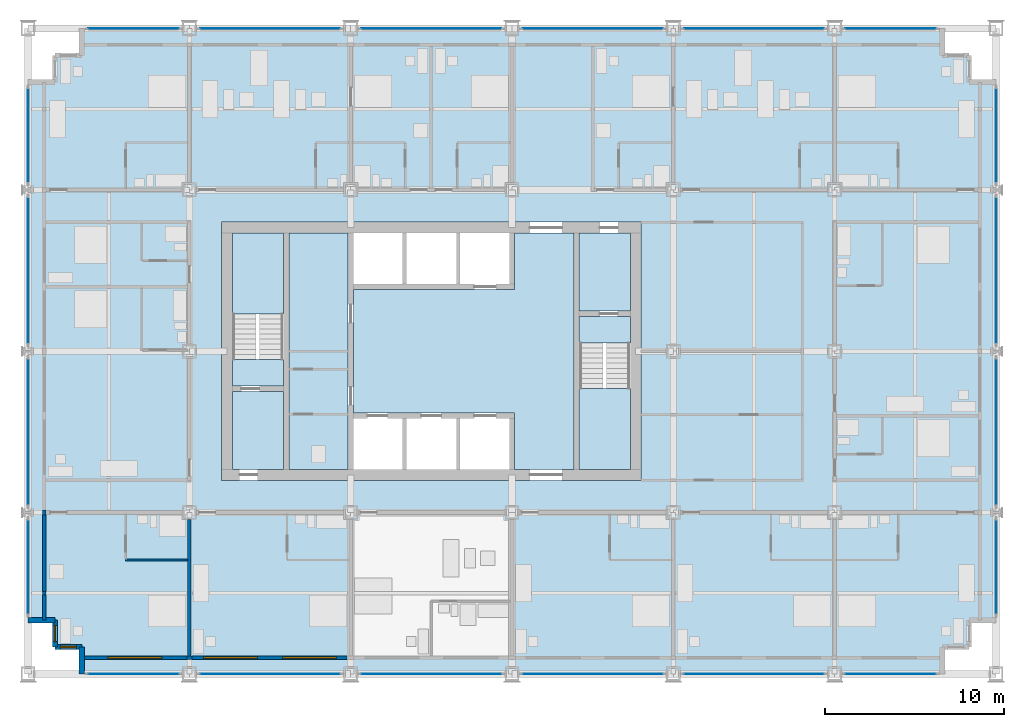
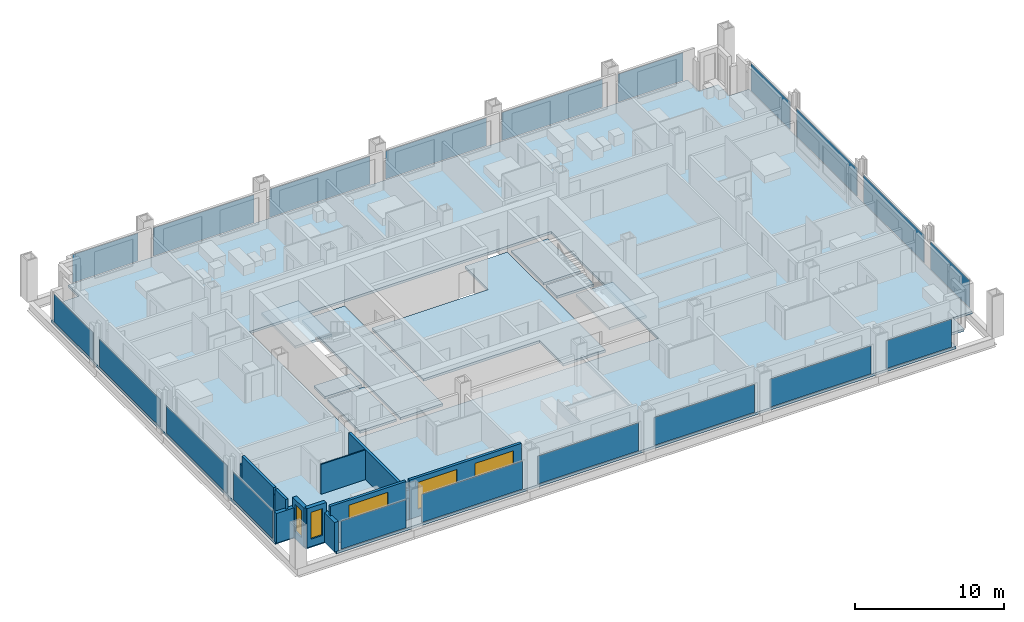
# One storey, part 9 of 18: 20 plates, 13 walls, 9 slabs, 5 windows, 5 openings, 22 elements without a shape of their own.
"""IFC4 building model written with IfcOpenShell, lengths in metres."""

from ifc_helpers import new_model, si_unit, direction, frame, frame_2d, origin, origin_2d, place, context, subcontext, project, spatial, polyline, rectangle, outline, extrude, material, layer, layer_set, type_object, element, fill, aggregate, save


model = new_model("IFC4")

# Units and contexts
model_context = context("Model", 3, precision=1e-05, world=origin(), true_north=direction((0.0, 1.0)))
body_context = subcontext(model_context, "Body", "Model", "MODEL_VIEW")
ifc_project = project(units=[si_unit("LENGTHUNIT", "METRE"), si_unit("AREAUNIT", "SQUARE_METRE"), si_unit("VOLUMEUNIT", "CUBIC_METRE"), si_unit("PLANEANGLEUNIT", "RADIAN"), si_unit("MASSUNIT", "GRAM", prefix="KILO")], contexts=[model_context])

# Site, building, storey
site_placement = place(None, origin())
site = spatial("IfcSite", under=ifc_project, at=site_placement, CompositionType="ELEMENT")
building_placement = place(site_placement, origin())
building = spatial("IfcBuilding", under=site, at=building_placement, Name="Loomwork Tower", CompositionType="ELEMENT")
storey_placement = place(building_placement, frame((0.0, 0.0, 48.39990234375)))
storey = spatial("IfcBuildingStorey", under=building, at=storey_placement, Name="L11", CompositionType="ELEMENT", Elevation=48.39990234375)

# Slabs
ifc_material_1 = material(Name="Concrete 5000 psi (34 MPa) on composite metal deck", Category="concrete")
ifc_layer_1 = layer(ifc_material_1, 0.199951171875)
ifc_layer_set_1 = layer_set([ifc_layer_1], Name="Floor slab 200")
slab_type_1 = type_object("IfcSlabType", Name="Floor slab 200", PredefinedType="FLOOR", material=ifc_layer_set_1)
slab_1_placement = place(storey_placement, frame((0.0, 0.0, -0.199951171875)))
element("IfcSlab", 1, at=slab_1_placement, inside=storey, type_object=slab_type_1, Name="Floor slab L11", PredefinedType="FLOOR", context=body_context, shape_type="SweptSolid", body=[
    extrude(outline(polyline([(3.0, 1.5), (1.5, 1.5), (1.5, 3.0), (0.0, 3.0), (0.0, 33.0), (1.5, 33.0), (1.5, 34.5), (3.0, 34.5), (3.0, 36.0), (51.0, 36.0), (51.0, 34.5), (52.5, 34.5), (52.5, 33.0), (54.0, 33.0), (54.0, 3.0), (52.5, 3.0), (52.5, 1.5), (51.0, 1.5), (51.0, 0.0), (3.0, 0.0), (3.0, 1.5)]), holes=[polyline([(10.800048828125, 11.39990234375), (10.800048828125, 11.39990234375), (10.800048828125, 10.800048828125), (34.199951171875, 10.800048828125), (34.199951171875, 11.39990234375), (34.199951171875, 11.39990234375), (34.199951171875, 24.60009765625), (34.199951171875, 25.199951171875), (10.800048828125, 25.199951171875), (10.800048828125, 24.60009765625), (10.800048828125, 11.39990234375)])]), origin(), (0.0, 0.0, 1.0), 0.199951171875),
])
slab_2_placement = place(storey_placement, frame((0.0, 0.0, -0.199951171875)))
element("IfcSlab", 2, at=slab_2_placement, inside=storey, type_object=slab_type_1, Name="Floor slab L11", PredefinedType="FLOOR", context=body_context, shape_type="SweptSolid", body=[
    extrude(outline(polyline([(30.449951171875, 24.60009765625), (30.449951171875, 11.39990234375), (27.14990234375, 11.39990234375), (27.14990234375, 14.25), (27.14990234375, 14.550048828125), (18.14990234375, 14.550048828125), (18.14990234375, 21.449951171875), (27.14990234375, 21.449951171875), (27.14990234375, 21.75), (27.14990234375, 24.60009765625), (30.449951171875, 24.60009765625)])), origin(), (0.0, 0.0, 1.0), 0.199951171875),
])
slab_3_placement = place(storey_placement, frame((0.0, 0.0, -0.199951171875)))
element("IfcSlab", 3, at=slab_3_placement, inside=storey, type_object=slab_type_1, Name="Floor slab L11", PredefinedType="FLOOR", context=body_context, shape_type="SweptSolid", body=[
    extrude(outline(polyline([(14.550048828125, 11.39990234375), (14.550048828125, 24.60009765625), (17.85009765625, 24.60009765625), (17.85009765625, 11.39990234375), (14.550048828125, 11.39990234375)])), origin(), (0.0, 0.0, 1.0), 0.199951171875),
])
slab_4_placement = place(storey_placement, frame((0.0, 0.0, -0.199951171875)))
element("IfcSlab", 4, at=slab_4_placement, inside=storey, type_object=slab_type_1, Name="Floor slab L11", PredefinedType="FLOOR", context=body_context, shape_type="SweptSolid", body=[
    extrude(outline(polyline([(33.60009765625, 20.25), (30.75, 20.25), (30.75, 24.60009765625), (33.60009765625, 24.60009765625), (33.60009765625, 20.25)])), origin(), (0.0, 0.0, 1.0), 0.199951171875),
])
slab_5_placement = place(storey_placement, frame((0.0, 0.0, -0.199951171875)))
element("IfcSlab", 5, at=slab_5_placement, inside=storey, type_object=slab_type_1, Name="Floor slab L11", PredefinedType="FLOOR", context=body_context, shape_type="SweptSolid", body=[
    extrude(outline(polyline([(14.25, 15.75), (14.25, 11.39990234375), (11.39990234375, 11.39990234375), (11.39990234375, 15.75), (14.25, 15.75)])), origin(), (0.0, 0.0, 1.0), 0.199951171875),
])

# Curtain wall, plate
ifc_material_2 = material(Name="Aluminium curtain wall frame", Category="aluminium")
curtain_wall_type = type_object("IfcCurtainWallType", Name="Outer skin glazing hotel", PredefinedType="NOTDEFINED", material=ifc_material_2)
curtain_wall_1_placement = place(storey_placement, origin())
curtain_wall_1 = element("IfcCurtainWall", 6, at=curtain_wall_1_placement, inside=storey, type_object=curtain_wall_type, Name="Outer skin glazing hotel cw/S-0", PredefinedType="NOTDEFINED")
ifc_material_3 = material(Name="Clear laminated glass", Category="glass")
ifc_layer_2 = layer(ifc_material_3, 0.02392578125)
ifc_layer_set_2 = layer_set([ifc_layer_2], Name="Outer skin glazing hotel panel")
plate_type = type_object("IfcPlateType", Name="Outer skin glazing hotel panel", PredefinedType="CURTAIN_PANEL", material=ifc_layer_set_2)
plate_1_placement = place(storey_placement, frame((5.875, 0.0, 0.06494140625), z_axis=(0.0, 0.0, 1.0), x_axis=(1.0, 0.0, 0.0)))
plate_1 = element("IfcPlate", 7, at=plate_1_placement, type_object=plate_type, Name="CW1 panel 1.1", PredefinedType="CURTAIN_PANEL", context=body_context, shape_type="SweptSolid", body=[
    extrude(rectangle(XDim=5.050048828125, YDim=0.02392578125, at=origin_2d()), origin(), (0.0, 0.0, 1.0), 2.290283203125),
])
aggregate(curtain_wall_1, [plate_1])

curtain_wall_2_placement = place(storey_placement, origin())
curtain_wall_2 = element("IfcCurtainWall", 8, at=curtain_wall_2_placement, inside=storey, type_object=curtain_wall_type, Name="Outer skin glazing hotel cw/S-9", PredefinedType="NOTDEFINED")
plate_2_placement = place(storey_placement, frame((13.5, 0.0, 0.06494140625), z_axis=(0.0, 0.0, 1.0), x_axis=(1.0, 0.0, 0.0)))
plate_2 = element("IfcPlate", 9, at=plate_2_placement, type_object=plate_type, Name="CW1 panel 1.1", PredefinedType="CURTAIN_PANEL", context=body_context, shape_type="SweptSolid", body=[
    extrude(rectangle(XDim=7.800048828125, YDim=0.02392578125, at=origin_2d()), origin(), (0.0, 0.0, 1.0), 2.290283203125),
])
aggregate(curtain_wall_2, [plate_2])

curtain_wall_3_placement = place(storey_placement, origin())
curtain_wall_3 = element("IfcCurtainWall", 10, at=curtain_wall_3_placement, inside=storey, type_object=curtain_wall_type, Name="Outer skin glazing hotel cw/S-18", PredefinedType="NOTDEFINED")
plate_3_placement = place(storey_placement, frame((22.5, 0.0, 0.06494140625), z_axis=(0.0, 0.0, 1.0), x_axis=(1.0, 0.0, 0.0)))
plate_3 = element("IfcPlate", 11, at=plate_3_placement, type_object=plate_type, Name="CW1 panel 1.1", PredefinedType="CURTAIN_PANEL", context=body_context, shape_type="SweptSolid", body=[
    extrude(rectangle(XDim=7.800048828125, YDim=0.02392578125, at=origin_2d()), origin(), (0.0, 0.0, 1.0), 2.290283203125),
])
aggregate(curtain_wall_3, [plate_3])

curtain_wall_4_placement = place(storey_placement, origin())
curtain_wall_4 = element("IfcCurtainWall", 12, at=curtain_wall_4_placement, inside=storey, type_object=curtain_wall_type, Name="Outer skin glazing hotel cw/S-27", PredefinedType="NOTDEFINED")
plate_4_placement = place(storey_placement, frame((31.5, 0.0, 0.06494140625), z_axis=(0.0, 0.0, 1.0), x_axis=(1.0, 0.0, 0.0)))
plate_4 = element("IfcPlate", 13, at=plate_4_placement, type_object=plate_type, Name="CW1 panel 1.1", PredefinedType="CURTAIN_PANEL", context=body_context, shape_type="SweptSolid", body=[
    extrude(rectangle(XDim=7.800048828125, YDim=0.02392578125, at=origin_2d()), origin(), (0.0, 0.0, 1.0), 2.290283203125),
])
aggregate(curtain_wall_4, [plate_4])

curtain_wall_5_placement = place(storey_placement, origin())
curtain_wall_5 = element("IfcCurtainWall", 14, at=curtain_wall_5_placement, inside=storey, type_object=curtain_wall_type, Name="Outer skin glazing hotel cw/S-36", PredefinedType="NOTDEFINED")
plate_5_placement = place(storey_placement, frame((40.5, 0.0, 0.06494140625), z_axis=(0.0, 0.0, 1.0), x_axis=(1.0, 0.0, 0.0)))
plate_5 = element("IfcPlate", 15, at=plate_5_placement, type_object=plate_type, Name="CW1 panel 1.1", PredefinedType="CURTAIN_PANEL", context=body_context, shape_type="SweptSolid", body=[
    extrude(rectangle(XDim=7.800048828125, YDim=0.02392578125, at=origin_2d()), origin(), (0.0, 0.0, 1.0), 2.290283203125),
])
aggregate(curtain_wall_5, [plate_5])

curtain_wall_6_placement = place(storey_placement, origin())
curtain_wall_6 = element("IfcCurtainWall", 16, at=curtain_wall_6_placement, inside=storey, type_object=curtain_wall_type, Name="Outer skin glazing hotel cw/S-45", PredefinedType="NOTDEFINED")
plate_6_placement = place(storey_placement, frame((48.125, 0.0, 0.06494140625), z_axis=(0.0, 0.0, 1.0), x_axis=(1.0, 0.0, 0.0)))
plate_6 = element("IfcPlate", 17, at=plate_6_placement, type_object=plate_type, Name="CW1 panel 1.1", PredefinedType="CURTAIN_PANEL", context=body_context, shape_type="SweptSolid", body=[
    extrude(rectangle(XDim=5.050048828125, YDim=0.02392578125, at=origin_2d()), origin(), (0.0, 0.0, 1.0), 2.290283203125),
])
aggregate(curtain_wall_6, [plate_6])

curtain_wall_7_placement = place(storey_placement, origin())
curtain_wall_7 = element("IfcCurtainWall", 18, at=curtain_wall_7_placement, inside=storey, type_object=curtain_wall_type, Name="Outer skin glazing hotel cw/N-0", PredefinedType="NOTDEFINED")
plate_7_placement = place(storey_placement, frame((5.875, 36.0, 0.06494140625), z_axis=(0.0, 0.0, 1.0), x_axis=(-1.0, 0.0, 0.0)))
plate_7 = element("IfcPlate", 19, at=plate_7_placement, type_object=plate_type, Name="CW1 panel 1.1", PredefinedType="CURTAIN_PANEL", context=body_context, shape_type="SweptSolid", body=[
    extrude(rectangle(XDim=5.050048828125, YDim=0.02392578125, at=origin_2d()), origin(), (0.0, 0.0, 1.0), 2.290283203125),
])
aggregate(curtain_wall_7, [plate_7])

curtain_wall_8_placement = place(storey_placement, origin())
curtain_wall_8 = element("IfcCurtainWall", 20, at=curtain_wall_8_placement, inside=storey, type_object=curtain_wall_type, Name="Outer skin glazing hotel cw/N-9", PredefinedType="NOTDEFINED")
plate_8_placement = place(storey_placement, frame((13.5, 36.0, 0.06494140625), z_axis=(0.0, 0.0, 1.0), x_axis=(-1.0, 0.0, 0.0)))
plate_8 = element("IfcPlate", 21, at=plate_8_placement, type_object=plate_type, Name="CW1 panel 1.1", PredefinedType="CURTAIN_PANEL", context=body_context, shape_type="SweptSolid", body=[
    extrude(rectangle(XDim=7.800048828125, YDim=0.02392578125, at=origin_2d()), origin(), (0.0, 0.0, 1.0), 2.290283203125),
])
aggregate(curtain_wall_8, [plate_8])

curtain_wall_9_placement = place(storey_placement, origin())
curtain_wall_9 = element("IfcCurtainWall", 22, at=curtain_wall_9_placement, inside=storey, type_object=curtain_wall_type, Name="Outer skin glazing hotel cw/N-18", PredefinedType="NOTDEFINED")
plate_9_placement = place(storey_placement, frame((22.5, 36.0, 0.06494140625), z_axis=(0.0, 0.0, 1.0), x_axis=(-1.0, 0.0, 0.0)))
plate_9 = element("IfcPlate", 23, at=plate_9_placement, type_object=plate_type, Name="CW1 panel 1.1", PredefinedType="CURTAIN_PANEL", context=body_context, shape_type="SweptSolid", body=[
    extrude(rectangle(XDim=7.800048828125, YDim=0.02392578125, at=origin_2d()), origin(), (0.0, 0.0, 1.0), 2.290283203125),
])
aggregate(curtain_wall_9, [plate_9])

curtain_wall_10_placement = place(storey_placement, origin())
curtain_wall_10 = element("IfcCurtainWall", 24, at=curtain_wall_10_placement, inside=storey, type_object=curtain_wall_type, Name="Outer skin glazing hotel cw/N-27", PredefinedType="NOTDEFINED")
plate_10_placement = place(storey_placement, frame((31.5, 36.0, 0.06494140625), z_axis=(0.0, 0.0, 1.0), x_axis=(-1.0, 0.0, 0.0)))
plate_10 = element("IfcPlate", 25, at=plate_10_placement, type_object=plate_type, Name="CW1 panel 1.1", PredefinedType="CURTAIN_PANEL", context=body_context, shape_type="SweptSolid", body=[
    extrude(rectangle(XDim=7.800048828125, YDim=0.02392578125, at=origin_2d()), origin(), (0.0, 0.0, 1.0), 2.290283203125),
])
aggregate(curtain_wall_10, [plate_10])

curtain_wall_11_placement = place(storey_placement, origin())
curtain_wall_11 = element("IfcCurtainWall", 26, at=curtain_wall_11_placement, inside=storey, type_object=curtain_wall_type, Name="Outer skin glazing hotel cw/N-36", PredefinedType="NOTDEFINED")
plate_11_placement = place(storey_placement, frame((40.5, 36.0, 0.06494140625), z_axis=(0.0, 0.0, 1.0), x_axis=(-1.0, 0.0, 0.0)))
plate_11 = element("IfcPlate", 27, at=plate_11_placement, type_object=plate_type, Name="CW1 panel 1.1", PredefinedType="CURTAIN_PANEL", context=body_context, shape_type="SweptSolid", body=[
    extrude(rectangle(XDim=7.800048828125, YDim=0.02392578125, at=origin_2d()), origin(), (0.0, 0.0, 1.0), 2.290283203125),
])
aggregate(curtain_wall_11, [plate_11])

curtain_wall_12_placement = place(storey_placement, origin())
curtain_wall_12 = element("IfcCurtainWall", 28, at=curtain_wall_12_placement, inside=storey, type_object=curtain_wall_type, Name="Outer skin glazing hotel cw/N-45", PredefinedType="NOTDEFINED")
plate_12_placement = place(storey_placement, frame((48.125, 36.0, 0.06494140625), z_axis=(0.0, 0.0, 1.0), x_axis=(-1.0, 0.0, 0.0)))
plate_12 = element("IfcPlate", 29, at=plate_12_placement, type_object=plate_type, Name="CW1 panel 1.1", PredefinedType="CURTAIN_PANEL", context=body_context, shape_type="SweptSolid", body=[
    extrude(rectangle(XDim=5.050048828125, YDim=0.02392578125, at=origin_2d()), origin(), (0.0, 0.0, 1.0), 2.290283203125),
])
aggregate(curtain_wall_12, [plate_12])

curtain_wall_13_placement = place(storey_placement, origin())
curtain_wall_13 = element("IfcCurtainWall", 30, at=curtain_wall_13_placement, inside=storey, type_object=curtain_wall_type, Name="Outer skin glazing hotel cw/W-0", PredefinedType="NOTDEFINED")
plate_13_placement = place(storey_placement, frame((0.0, 5.95556640625, 0.06494140625), z_axis=(0.0, 0.0, 1.0), x_axis=(0.0, -1.0, 0.0)))
plate_13 = element("IfcPlate", 31, at=plate_13_placement, type_object=plate_type, Name="CW1 panel 1.1", PredefinedType="CURTAIN_PANEL", context=body_context, shape_type="SweptSolid", body=[
    extrude(rectangle(XDim=5.211181640625, YDim=0.02392578125, at=origin_2d()), origin(), (0.0, 0.0, 1.0), 2.290283203125),
])
aggregate(curtain_wall_13, [plate_13])

curtain_wall_14_placement = place(storey_placement, origin())
curtain_wall_14 = element("IfcCurtainWall", 32, at=curtain_wall_14_placement, inside=storey, type_object=curtain_wall_type, Name="Outer skin glazing hotel cw/W-9", PredefinedType="NOTDEFINED")
plate_14_placement = place(storey_placement, frame((0.0, 13.5, 0.06494140625), z_axis=(0.0, 0.0, 1.0), x_axis=(0.0, -1.0, 0.0)))
plate_14 = element("IfcPlate", 33, at=plate_14_placement, type_object=plate_type, Name="CW1 panel 1.1", PredefinedType="CURTAIN_PANEL", context=body_context, shape_type="SweptSolid", body=[
    extrude(rectangle(XDim=8.122314453125, YDim=0.02392578125, at=origin_2d()), origin(), (0.0, 0.0, 1.0), 2.290283203125),
])
aggregate(curtain_wall_14, [plate_14])

curtain_wall_15_placement = place(storey_placement, origin())
curtain_wall_15 = element("IfcCurtainWall", 34, at=curtain_wall_15_placement, inside=storey, type_object=curtain_wall_type, Name="Outer skin glazing hotel cw/W-18", PredefinedType="NOTDEFINED")
plate_15_placement = place(storey_placement, frame((0.0, 22.5, 0.06494140625), z_axis=(0.0, 0.0, 1.0), x_axis=(0.0, -1.0, 0.0)))
plate_15 = element("IfcPlate", 35, at=plate_15_placement, type_object=plate_type, Name="CW1 panel 1.1", PredefinedType="CURTAIN_PANEL", context=body_context, shape_type="SweptSolid", body=[
    extrude(rectangle(XDim=8.122314453125, YDim=0.02392578125, at=origin_2d()), origin(), (0.0, 0.0, 1.0), 2.290283203125),
])
aggregate(curtain_wall_15, [plate_15])

curtain_wall_16_placement = place(storey_placement, origin())
curtain_wall_16 = element("IfcCurtainWall", 36, at=curtain_wall_16_placement, inside=storey, type_object=curtain_wall_type, Name="Outer skin glazing hotel cw/W-27", PredefinedType="NOTDEFINED")
plate_16_placement = place(storey_placement, frame((0.0, 30.04443359375, 0.06494140625), z_axis=(0.0, 0.0, 1.0), x_axis=(0.0, -1.0, 0.0)))
plate_16 = element("IfcPlate", 37, at=plate_16_placement, type_object=plate_type, Name="CW1 panel 1.1", PredefinedType="CURTAIN_PANEL", context=body_context, shape_type="SweptSolid", body=[
    extrude(rectangle(XDim=5.211181640625, YDim=0.02392578125, at=origin_2d()), origin(), (0.0, 0.0, 1.0), 2.290283203125),
])
aggregate(curtain_wall_16, [plate_16])

curtain_wall_17_placement = place(storey_placement, origin())
curtain_wall_17 = element("IfcCurtainWall", 38, at=curtain_wall_17_placement, inside=storey, type_object=curtain_wall_type, Name="Outer skin glazing hotel cw/E-0", PredefinedType="NOTDEFINED")
plate_17_placement = place(storey_placement, frame((54.0, 5.95556640625, 0.06494140625), z_axis=(0.0, 0.0, 1.0), x_axis=(0.0, 1.0, 0.0)))
plate_17 = element("IfcPlate", 39, at=plate_17_placement, type_object=plate_type, Name="CW1 panel 1.1", PredefinedType="CURTAIN_PANEL", context=body_context, shape_type="SweptSolid", body=[
    extrude(rectangle(XDim=5.211181640625, YDim=0.02392578125, at=origin_2d()), origin(), (0.0, 0.0, 1.0), 2.290283203125),
])
aggregate(curtain_wall_17, [plate_17])

curtain_wall_18_placement = place(storey_placement, origin())
curtain_wall_18 = element("IfcCurtainWall", 40, at=curtain_wall_18_placement, inside=storey, type_object=curtain_wall_type, Name="Outer skin glazing hotel cw/E-9", PredefinedType="NOTDEFINED")
plate_18_placement = place(storey_placement, frame((54.0, 13.5, 0.06494140625), z_axis=(0.0, 0.0, 1.0), x_axis=(0.0, 1.0, 0.0)))
plate_18 = element("IfcPlate", 41, at=plate_18_placement, type_object=plate_type, Name="CW1 panel 1.1", PredefinedType="CURTAIN_PANEL", context=body_context, shape_type="SweptSolid", body=[
    extrude(rectangle(XDim=8.122314453125, YDim=0.02392578125, at=origin_2d()), origin(), (0.0, 0.0, 1.0), 2.290283203125),
])
aggregate(curtain_wall_18, [plate_18])

curtain_wall_19_placement = place(storey_placement, origin())
curtain_wall_19 = element("IfcCurtainWall", 42, at=curtain_wall_19_placement, inside=storey, type_object=curtain_wall_type, Name="Outer skin glazing hotel cw/E-18", PredefinedType="NOTDEFINED")
plate_19_placement = place(storey_placement, frame((54.0, 22.5, 0.06494140625), z_axis=(0.0, 0.0, 1.0), x_axis=(0.0, 1.0, 0.0)))
plate_19 = element("IfcPlate", 43, at=plate_19_placement, type_object=plate_type, Name="CW1 panel 1.1", PredefinedType="CURTAIN_PANEL", context=body_context, shape_type="SweptSolid", body=[
    extrude(rectangle(XDim=8.122314453125, YDim=0.02392578125, at=origin_2d()), origin(), (0.0, 0.0, 1.0), 2.290283203125),
])
aggregate(curtain_wall_19, [plate_19])

curtain_wall_20_placement = place(storey_placement, origin())
curtain_wall_20 = element("IfcCurtainWall", 44, at=curtain_wall_20_placement, inside=storey, type_object=curtain_wall_type, Name="Outer skin glazing hotel cw/E-27", PredefinedType="NOTDEFINED")
plate_20_placement = place(storey_placement, frame((54.0, 30.04443359375, 0.06494140625), z_axis=(0.0, 0.0, 1.0), x_axis=(0.0, 1.0, 0.0)))
plate_20 = element("IfcPlate", 45, at=plate_20_placement, type_object=plate_type, Name="CW1 panel 1.1", PredefinedType="CURTAIN_PANEL", context=body_context, shape_type="SweptSolid", body=[
    extrude(rectangle(XDim=5.211181640625, YDim=0.02392578125, at=origin_2d()), origin(), (0.0, 0.0, 1.0), 2.290283203125),
])
aggregate(curtain_wall_20, [plate_20])

# Stair, slabs
ifc_material_4 = material(Name="Concrete 5000 psi (34 MPa) precast stair", Category="concrete")
stair_type_1 = type_object("IfcStairType", Name="Stair ST-A 20 risers 2850 wide", PredefinedType="HALF_TURN_STAIR", material=ifc_material_4)
stair_1_placement = place(storey_placement, origin())
stair_1 = element("IfcStair", 46, at=stair_1_placement, inside=storey, type_object=stair_type_1, Name="Stair A L11", PredefinedType="HALF_TURN_STAIR")
ifc_material_5 = material(Name="Concrete 5000 psi (34 MPa)", Category="concrete")
ifc_layer_3 = layer(ifc_material_5, 0.199951171875)
ifc_layer_set_3 = layer_set([ifc_layer_3], Name="Stair landing 200")
slab_type_2 = type_object("IfcSlabType", Name="Stair landing 200", PredefinedType="LANDING", material=ifc_layer_set_3)
slab_6_placement = place(storey_placement, frame((0.0, 0.0, -0.199951171875)))
slab_6 = element("IfcSlab", 47, at=slab_6_placement, type_object=slab_type_2, Name="ST-A landing 1", PredefinedType="LANDING", context=body_context, shape_type="SweptSolid", body=[
    extrude(outline(polyline([(11.39990234375, 16.050048828125), (14.25, 16.050048828125), (14.25, 17.550048828125), (11.39990234375, 17.550048828125), (11.39990234375, 16.050048828125)])), origin(), (0.0, 0.0, 1.0), 0.199951171875),
])
slab_7_placement = place(storey_placement, frame((0.0, 0.0, 1.5)))
slab_7 = element("IfcSlab", 48, at=slab_7_placement, type_object=slab_type_2, Name="ST-A landing 2", PredefinedType="LANDING", context=body_context, shape_type="SweptSolid", body=[
    extrude(outline(polyline([(11.39990234375, 20.070068359375), (14.25, 20.070068359375), (14.25, 24.60009765625), (11.39990234375, 24.60009765625), (11.39990234375, 20.070068359375)])), origin(), (0.0, 0.0, 1.0), 0.2001953125),
])
aggregate(stair_1, [slab_6, slab_7])

ifc_material_6 = material(Name="Concrete 5000 psi (34 MPa) precast stair", Category="concrete")
stair_type_2 = type_object("IfcStairType", Name="Stair ST-B 20 risers 2850 wide", PredefinedType="HALF_TURN_STAIR", material=ifc_material_6)
stair_2_placement = place(storey_placement, origin())
stair_2 = element("IfcStair", 49, at=stair_2_placement, inside=storey, type_object=stair_type_2, Name="Stair B L11", PredefinedType="HALF_TURN_STAIR")
slab_8_placement = place(storey_placement, frame((0.0, 0.0, -0.199951171875)))
slab_8 = element("IfcSlab", 50, at=slab_8_placement, type_object=slab_type_2, Name="ST-B landing 1", PredefinedType="LANDING", context=body_context, shape_type="SweptSolid", body=[
    extrude(outline(polyline([(30.75, 18.449951171875), (33.60009765625, 18.449951171875), (33.60009765625, 19.949951171875), (30.75, 19.949951171875), (30.75, 18.449951171875)])), origin(), (0.0, 0.0, 1.0), 0.199951171875),
])
slab_9_placement = place(storey_placement, frame((0.0, 0.0, 1.5)))
slab_9 = element("IfcSlab", 51, at=slab_9_placement, type_object=slab_type_2, Name="ST-B landing 2", PredefinedType="LANDING", context=body_context, shape_type="SweptSolid", body=[
    extrude(outline(polyline([(30.75, 11.39990234375), (33.60009765625, 11.39990234375), (33.60009765625, 15.929931640625), (30.75, 15.929931640625), (30.75, 11.39990234375)])), origin(), (0.0, 0.0, 1.0), 0.2001953125),
])
aggregate(stair_2, [slab_8, slab_9])

# Walls
ifc_material_7 = material(Name="Cement board on steel studs", Category="steel")
ifc_layer_4 = layer(ifc_material_7, 0.10009765625)
ifc_layer_set_4 = layer_set([ifc_layer_4], Name="En-suite partition 100")
wall_type_1 = type_object("IfcWallType", Name="En-suite partition 100", PredefinedType="PARTITIONING", material=ifc_layer_set_4)
wall_1_placement = place(storey_placement, frame((5.449951171875, 6.35009765625, 0.0), z_axis=(0.0, 0.0, 1.0), x_axis=(1.0, 0.0, 0.0)))
element("IfcWall", 52, at=wall_1_placement, inside=storey, type_object=wall_type_1, Name="En-suite wall L11 room 1", PredefinedType="PARTITIONING", context=body_context, shape_type="SweptSolid", body=[
    extrude(rectangle(XDim=3.449951171875, YDim=0.10009765625, at=frame_2d((1.72509765625, 0.0))), origin(), (0.0, 0.0, 1.0), 2.43798828125),
])
ifc_material_8 = material(Name="Gypsum board on steel studs, acoustic", Category="steel")
ifc_layer_5 = layer(ifc_material_8, 0.199951171875)
ifc_layer_set_5 = layer_set([ifc_layer_5], Name="Guest room party wall 200")
wall_type_2 = type_object("IfcWallType", Name="Guest room party wall 200", PredefinedType="PARTITIONING", material=ifc_layer_set_5)
wall_2_placement = place(storey_placement, frame((9.0, 8.60009765625, 0.0), z_axis=(0.0, 0.0, 1.0), x_axis=(0.0, -1.0, 0.0)))
element("IfcWall", 53, at=wall_2_placement, inside=storey, type_object=wall_type_2, Name="Guest room party wall S 9", PredefinedType="PARTITIONING", context=body_context, shape_type="SweptSolid", body=[
    extrude(rectangle(XDim=7.60009765625, YDim=0.199951171875, at=frame_2d((3.800048828125, 0.0))), origin(), (0.0, 0.0, 1.0), 2.43798828125),
])

# Wall, opening, window
ifc_material_9 = material(Name="Insulated steel stud wall with gypsum lining", Category="steel")
ifc_layer_6 = layer(ifc_material_9, 0.199951171875)
ifc_layer_set_6 = layer_set([ifc_layer_6], Name="Inner skin wall 200")
wall_type_3 = type_object("IfcWallType", Name="Inner skin wall 200", PredefinedType="SOLIDWALL", material=ifc_layer_set_6)
wall_3_placement = place(storey_placement, frame((3.0, 0.89990234375, 0.0), z_axis=(0.0, 0.0, 1.0), x_axis=(1.0, 0.0, 0.0)))
wall_3 = element("IfcWall", 54, at=wall_3_placement, inside=storey, type_object=wall_type_3, Name="Inner skin wall S", PredefinedType="SOLIDWALL", context=body_context, shape_type="SweptSolid", body=[
    extrude(rectangle(XDim=5.86474609375, YDim=0.199951171875, at=frame_2d((2.932373046875, 0.0))), origin(), (0.0, 0.0, 1.0), 3.2001953125),
])
opening_1_placement = place(wall_3_placement, frame((1.449951171875, 0.0, 0.60009765625)))
opening_1 = element("IfcOpeningElement", 55, at=opening_1_placement, cuts=wall_3, Name="Opening CH1", PredefinedType="OPENING", context=body_context, shape_type="SweptSolid", body=[
    extrude(rectangle(XDim=3.0, YDim=2.199951171875, at=frame_2d((1.5, 1.10009765625))), frame((0.0, 0.10986328125, 0.0), z_axis=(0.0, -1.0, 0.0), x_axis=(1.0, 0.0, 0.0)), (0.0, 0.0, 1.0), 0.219970703125),
])
ifc_material_10 = material(Name="Aluminium frame with clear insulated glass", Category="aluminium")
window_type_1 = type_object("IfcWindowType", Name="Chicago window 3000", PartitioningType="TRIPLE_PANEL_VERTICAL", PredefinedType="WINDOW", material=ifc_material_10)
window_1_placement = place(opening_1_placement, origin())
window_1 = element("IfcWindow", 56, at=window_1_placement, inside=storey, type_object=window_type_1, Name="Chicago window L11 bay 1", OverallHeight=2.199951171875, OverallWidth=3.0, PartitioningType="TRIPLE_PANEL_VERTICAL", PredefinedType="WINDOW", context=body_context, shape_type="SweptSolid", body=[
    extrude(rectangle(XDim=3.0, YDim=2.199951171875, at=frame_2d((1.5, 1.10009765625))), frame((0.0, 0.030029296875, 0.0), z_axis=(0.0, -1.0, 0.0), x_axis=(1.0, 0.0, 0.0)), (0.0, 0.0, 1.0), 0.06005859375),
])
fill(opening_1, window_1)

# Walls
wall_4_placement = place(storey_placement, frame((0.89990234375, 3.0, 0.0), z_axis=(0.0, 0.0, 1.0), x_axis=(0.0, 1.0, 0.0)))
element("IfcWall", 57, at=wall_4_placement, inside=storey, type_object=wall_type_3, Name="Inner skin wall W", PredefinedType="SOLIDWALL", context=body_context, shape_type="SweptSolid", body=[
    extrude(rectangle(XDim=1.392578125, YDim=0.199951171875, at=frame_2d((0.6962890625, 0.0))), origin(), (0.0, 0.0, 1.0), 3.2001953125),
])
wall_5_placement = place(storey_placement, frame((8.86474609375, 0.89990234375, 0.0), z_axis=(0.0, 0.0, 1.0), x_axis=(1.0, 0.0, 0.0)))
element("IfcWall", 58, at=wall_5_placement, inside=storey, type_object=wall_type_3, Name="Inner skin wall S bay 2", PredefinedType="SOLIDWALL", context=body_context, shape_type="SweptSolid", body=[
    extrude(rectangle(XDim=0.2705078125, YDim=0.199951171875, at=frame_2d((0.13525390625, 0.0))), origin(), (0.0, 0.0, 1.0), 2.43798828125),
])

# Wall, openings, windows
wall_6_placement = place(storey_placement, frame((9.13525390625, 0.89990234375, 0.0), z_axis=(0.0, 0.0, 1.0), x_axis=(1.0, 0.0, 0.0)))
wall_6 = element("IfcWall", 59, at=wall_6_placement, inside=storey, type_object=wall_type_3, Name="Inner skin wall S bay 3", PredefinedType="SOLIDWALL", context=body_context, shape_type="SweptSolid", body=[
    extrude(rectangle(XDim=8.6708984375, YDim=0.199951171875, at=frame_2d((4.33544921875, 0.0))), origin(), (0.0, 0.0, 1.0), 3.2001953125),
])
opening_2_placement = place(wall_6_placement, frame((0.664794921875, 0.0, 0.60009765625)))
opening_2 = element("IfcOpeningElement", 60, at=opening_2_placement, cuts=wall_6, Name="Opening CH1", PredefinedType="OPENING", context=body_context, shape_type="SweptSolid", body=[
    extrude(rectangle(XDim=3.0, YDim=2.199951171875, at=frame_2d((1.5, 1.10009765625))), frame((0.0, 0.10986328125, 0.0), z_axis=(0.0, -1.0, 0.0), x_axis=(1.0, 0.0, 0.0)), (0.0, 0.0, 1.0), 0.219970703125),
])
opening_3_placement = place(wall_6_placement, frame((5.064697265625, 0.0, 0.60009765625)))
opening_3 = element("IfcOpeningElement", 61, at=opening_3_placement, cuts=wall_6, Name="Opening CH1", PredefinedType="OPENING", context=body_context, shape_type="SweptSolid", body=[
    extrude(rectangle(XDim=3.0, YDim=2.199951171875, at=frame_2d((1.5, 1.10009765625))), frame((0.0, 0.10986328125, 0.0), z_axis=(0.0, -1.0, 0.0), x_axis=(1.0, 0.0, 0.0)), (0.0, 0.0, 1.0), 0.219970703125),
])
window_2_placement = place(opening_2_placement, origin())
window_2 = element("IfcWindow", 62, at=window_2_placement, inside=storey, type_object=window_type_1, Name="Chicago window L11 bay 2", OverallHeight=2.199951171875, OverallWidth=3.0, PartitioningType="TRIPLE_PANEL_VERTICAL", PredefinedType="WINDOW", context=body_context, shape_type="SweptSolid", body=[
    extrude(rectangle(XDim=3.0, YDim=2.199951171875, at=frame_2d((1.5, 1.10009765625))), frame((0.0, 0.030029296875, 0.0), z_axis=(0.0, -1.0, 0.0), x_axis=(1.0, 0.0, 0.0)), (0.0, 0.0, 1.0), 0.06005859375),
])
fill(opening_2, window_2)
window_3_placement = place(opening_3_placement, origin())
window_3 = element("IfcWindow", 63, at=window_3_placement, inside=storey, type_object=window_type_1, Name="Chicago window L11 bay 2", OverallHeight=2.199951171875, OverallWidth=3.0, PartitioningType="TRIPLE_PANEL_VERTICAL", PredefinedType="WINDOW", context=body_context, shape_type="SweptSolid", body=[
    extrude(rectangle(XDim=3.0, YDim=2.199951171875, at=frame_2d((1.5, 1.10009765625))), frame((0.0, 0.030029296875, 0.0), z_axis=(0.0, -1.0, 0.0), x_axis=(1.0, 0.0, 0.0)), (0.0, 0.0, 1.0), 0.06005859375),
])
fill(opening_3, window_3)

# Walls
wall_7_placement = place(storey_placement, frame((0.89990234375, 4.392578125, 0.0), z_axis=(0.0, 0.0, 1.0), x_axis=(0.0, 1.0, 0.0)))
element("IfcWall", 64, at=wall_7_placement, inside=storey, type_object=wall_type_3, Name="Inner skin wall W bay 2", PredefinedType="SOLIDWALL", context=body_context, shape_type="SweptSolid", body=[
    extrude(rectangle(XDim=0.21484375, YDim=0.199951171875, at=frame_2d((0.107421875, 0.0))), origin(), (0.0, 0.0, 1.0), 2.6611328125),
])
wall_8_placement = place(storey_placement, frame((0.89990234375, 4.607421875, 0.0), z_axis=(0.0, 0.0, 1.0), x_axis=(0.0, 1.0, 0.0)))
element("IfcWall", 65, at=wall_8_placement, inside=storey, type_object=wall_type_3, Name="Inner skin wall W bay 3", PredefinedType="SOLIDWALL", context=body_context, shape_type="SweptSolid", body=[
    extrude(rectangle(XDim=4.25732421875, YDim=0.199951171875, at=frame_2d((2.128662109375, 0.0))), origin(), (0.0, 0.0, 1.0), 3.2001953125),
])
wall_9_placement = place(storey_placement, frame((0.89990234375, 8.86474609375, 0.0), z_axis=(0.0, 0.0, 1.0), x_axis=(0.0, 1.0, 0.0)))
element("IfcWall", 66, at=wall_9_placement, inside=storey, type_object=wall_type_3, Name="Inner skin wall W bay 4", PredefinedType="SOLIDWALL", context=body_context, shape_type="SweptSolid", body=[
    extrude(rectangle(XDim=0.2705078125, YDim=0.199951171875, at=frame_2d((0.13525390625, 0.0))), origin(), (0.0, 0.0, 1.0), 2.43798828125),
])
ifc_material_11 = material(Name="Limestone on concrete masonry", Category="masonry")
ifc_layer_7 = layer(ifc_material_11, 0.300048828125)
ifc_layer_set_7 = layer_set([ifc_layer_7], Name="Limestone corner wall 300")
wall_type_4 = type_object("IfcWallType", Name="Limestone corner wall 300", PredefinedType="SOLIDWALL", material=ifc_layer_set_7)
wall_10_placement = place(storey_placement, frame((0.0, 3.0, 0.0), z_axis=(0.0, 0.0, 1.0), x_axis=(1.0, 0.0, 0.0)))
element("IfcWall", 67, at=wall_10_placement, inside=storey, type_object=wall_type_4, Name="Stone corner wall SW 1", PredefinedType="SOLIDWALL", context=body_context, shape_type="SweptSolid", body=[
    extrude(rectangle(XDim=1.5, YDim=0.300048828125, at=frame_2d((0.75, 0.0))), origin(), (0.0, 0.0, 1.0), 2.420166015625),
])

# Wall, opening, window
wall_11_placement = place(storey_placement, frame((1.5, 3.0, 0.0), z_axis=(0.0, 0.0, 1.0), x_axis=(0.0, -1.0, 0.0)))
wall_11 = element("IfcWall", 68, at=wall_11_placement, inside=storey, type_object=wall_type_4, Name="Stone corner wall SW 2", PredefinedType="SOLIDWALL", context=body_context, shape_type="SweptSolid", body=[
    extrude(rectangle(XDim=1.5, YDim=0.300048828125, at=frame_2d((0.75, 0.0))), origin(), (0.0, 0.0, 1.0), 3.2001953125),
])
opening_4_placement = place(wall_11_placement, frame((0.300048828125, 0.0, 0.60009765625)))
opening_4 = element("IfcOpeningElement", 69, at=opening_4_placement, cuts=wall_11, Name="Opening CH2", PredefinedType="OPENING", context=body_context, shape_type="SweptSolid", body=[
    extrude(rectangle(XDim=0.89990234375, YDim=2.199951171875, at=frame_2d((0.449951171875, 1.10009765625))), frame((0.0, 0.159912109375, 0.0), z_axis=(0.0, -1.0, 0.0), x_axis=(1.0, 0.0, 0.0)), (0.0, 0.0, 1.0), 0.320068359375),
])
ifc_material_12 = material(Name="Aluminium frame with clear insulated glass", Category="aluminium")
window_type_2 = type_object("IfcWindowType", Name="Corner window 900", PartitioningType="SINGLE_PANEL", PredefinedType="WINDOW", material=ifc_material_12)
window_4_placement = place(opening_4_placement, origin())
window_4 = element("IfcWindow", 70, at=window_4_placement, inside=storey, type_object=window_type_2, Name="Corner window SW", OverallHeight=2.199951171875, OverallWidth=0.89990234375, PartitioningType="SINGLE_PANEL", PredefinedType="WINDOW", context=body_context, shape_type="SweptSolid", body=[
    extrude(rectangle(XDim=0.89990234375, YDim=2.199951171875, at=frame_2d((0.449951171875, 1.10009765625))), frame((0.0, 0.030029296875, 0.0), z_axis=(0.0, -1.0, 0.0), x_axis=(1.0, 0.0, 0.0)), (0.0, 0.0, 1.0), 0.06005859375),
])
fill(opening_4, window_4)

wall_12_placement = place(storey_placement, frame((1.5, 1.5, 0.0), z_axis=(0.0, 0.0, 1.0), x_axis=(1.0, 0.0, 0.0)))
wall_12 = element("IfcWall", 71, at=wall_12_placement, inside=storey, type_object=wall_type_4, Name="Stone corner wall SW 3", PredefinedType="SOLIDWALL", context=body_context, shape_type="SweptSolid", body=[
    extrude(rectangle(XDim=1.5, YDim=0.300048828125, at=frame_2d((0.75, 0.0))), origin(), (0.0, 0.0, 1.0), 3.2001953125),
])
opening_5_placement = place(wall_12_placement, frame((0.300048828125, 0.0, 0.60009765625)))
opening_5 = element("IfcOpeningElement", 72, at=opening_5_placement, cuts=wall_12, Name="Opening CH2", PredefinedType="OPENING", context=body_context, shape_type="SweptSolid", body=[
    extrude(rectangle(XDim=0.89990234375, YDim=2.199951171875, at=frame_2d((0.449951171875, 1.10009765625))), frame((0.0, 0.159912109375, 0.0), z_axis=(0.0, -1.0, 0.0), x_axis=(1.0, 0.0, 0.0)), (0.0, 0.0, 1.0), 0.320068359375),
])
window_5_placement = place(opening_5_placement, origin())
window_5 = element("IfcWindow", 73, at=window_5_placement, inside=storey, type_object=window_type_2, Name="Corner window SW", OverallHeight=2.199951171875, OverallWidth=0.89990234375, PartitioningType="SINGLE_PANEL", PredefinedType="WINDOW", context=body_context, shape_type="SweptSolid", body=[
    extrude(rectangle(XDim=0.89990234375, YDim=2.199951171875, at=frame_2d((0.449951171875, 1.10009765625))), frame((0.0, 0.030029296875, 0.0), z_axis=(0.0, -1.0, 0.0), x_axis=(1.0, 0.0, 0.0)), (0.0, 0.0, 1.0), 0.06005859375),
])
fill(opening_5, window_5)

# Wall
wall_13_placement = place(storey_placement, frame((3.0, 1.5, 0.0), z_axis=(0.0, 0.0, 1.0), x_axis=(0.0, -1.0, 0.0)))
element("IfcWall", 74, at=wall_13_placement, inside=storey, type_object=wall_type_4, Name="Stone corner wall SW 4", PredefinedType="SOLIDWALL", context=body_context, shape_type="SweptSolid", body=[
    extrude(rectangle(XDim=1.5, YDim=0.300048828125, at=frame_2d((0.75, 0.0))), origin(), (0.0, 0.0, 1.0), 2.420166015625),
])

save(model, "model.ifc")
